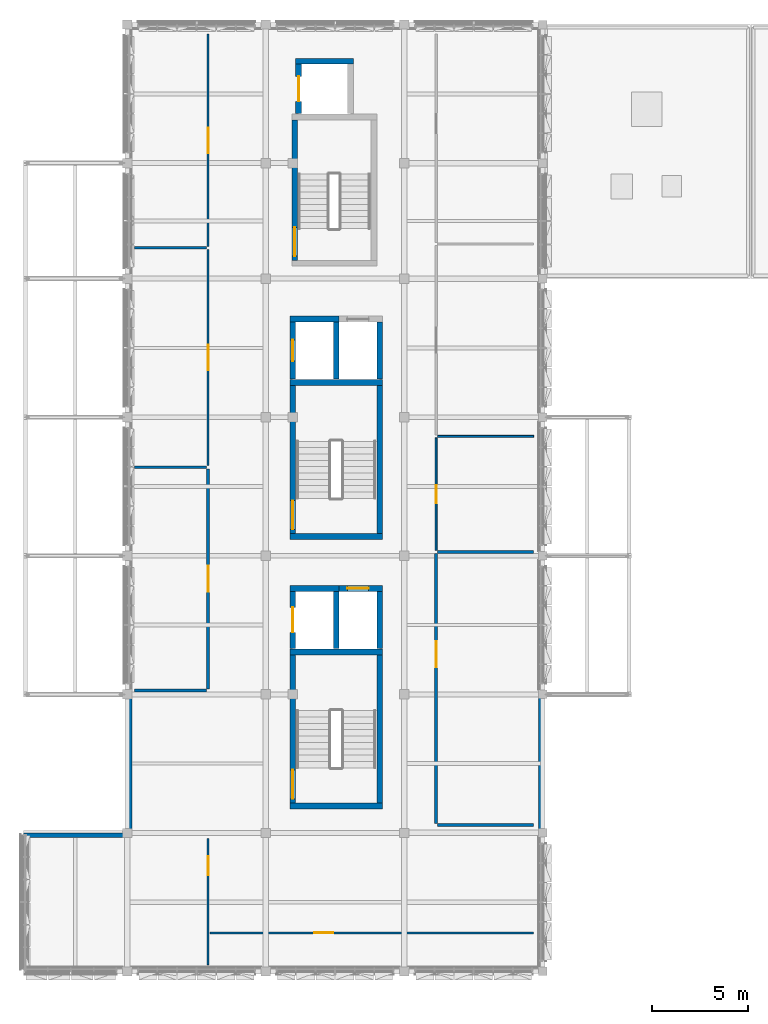
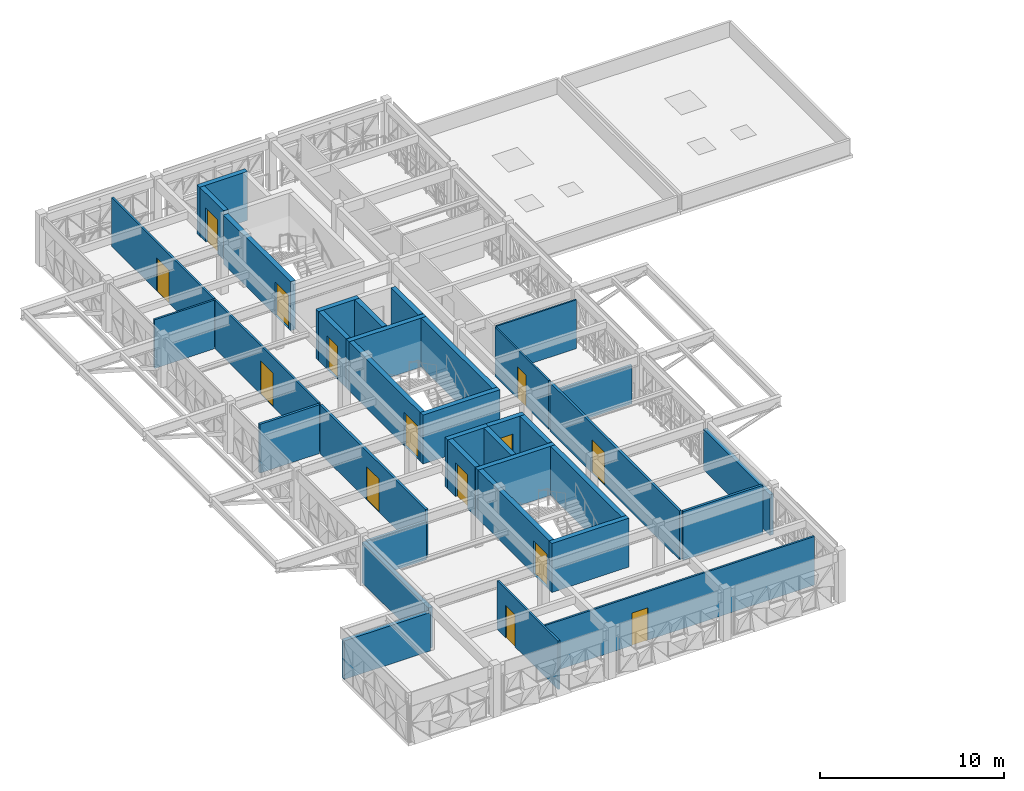
# One storey, part 21 of 30: 36 walls, 14 doors, 14 openings.
"""IFC4 building model written with IfcOpenShell, lengths in metres."""

from ifc_helpers import new_model, si_unit, direction, frame, frame_2d, origin, place, context, subcontext, project, spatial, rectangle, extrude, material, layer, layer_set, type_object, element, fill, save


model = new_model("IFC4")

# Units and contexts
model_context = context("Model", 3, precision=1e-05, world=origin(), true_north=direction((0.0, 1.0)))
body_context = subcontext(model_context, "Body", "Model", "MODEL_VIEW")
ifc_project = project(units=[si_unit("LENGTHUNIT", "METRE"), si_unit("AREAUNIT", "SQUARE_METRE"), si_unit("VOLUMEUNIT", "CUBIC_METRE"), si_unit("PLANEANGLEUNIT", "RADIAN"), si_unit("MASSUNIT", "GRAM", prefix="KILO")], contexts=[model_context])

# Site, building, storey
site_placement = place(None, origin())
site = spatial("IfcSite", under=ifc_project, at=site_placement, CompositionType="ELEMENT")
building_placement = place(site_placement, origin())
building = spatial("IfcBuilding", under=site, at=building_placement, Name="Alvorim Cloister Faculty of Sciences", CompositionType="ELEMENT")
storey_placement = place(building_placement, frame((0.0, 0.0, 26.25)))
storey = spatial("IfcBuildingStorey", under=building, at=storey_placement, Name="L07", CompositionType="ELEMENT", Elevation=26.25)

# Walls
ifc_material_1 = material(Name="Cross-Laminated Timber CLT C24", Category="wood")
ifc_layer_1 = layer(ifc_material_1, 0.239990234375)
ifc_layer_set_1 = layer_set([ifc_layer_1], Name="Cross-Laminated Timber CLT C24")
wall_type_1 = type_object("IfcWallType", Name="WL-EXT-TMB-240", PredefinedType="SOLIDWALL", material=ifc_layer_set_1)
wall_1_placement = place(storey_placement, frame((1.800048828125, 14.280029296875, 0.0), z_axis=(0.0, 0.0, 1.0), x_axis=(1.0, 0.0, 0.0)))
element("IfcWall", 1, at=wall_1_placement, inside=storey, type_object=wall_type_1, Name="L07 Exterior Wall WL-0241", PredefinedType="SOLIDWALL", context=body_context, shape_type="SweptSolid", body=[
    extrude(rectangle(XDim=5.39990234375, YDim=0.239990234375, at=frame_2d((2.699951171875, 0.0))), origin(), (0.0, 0.0, 1.0), 2.5458984375),
])
for number, where, z_axis, x_axis, name in (
    (2, (7.320068359375, 14.39990234375, 0.0), (0.0, 0.0, 1.0), (0.0, 1.0, 0.0), "L07 Exterior Wall WL-0242"),
    (3, (28.679931640625, 14.39990234375, 0.0), (0.0, 0.0, 1.0), (0.0, 1.0, 0.0), "L07 Exterior Wall WL-0243"),
):
    element("IfcWall", number, at=place(storey_placement, frame(where, z_axis=z_axis, x_axis=x_axis)), inside=storey, type_object=wall_type_1, Name=name, PredefinedType="SOLIDWALL", context=body_context, shape_type="SweptSolid", body=[
        extrude(rectangle(XDim=7.2001953125, YDim=0.239990234375, at=frame_2d((3.60009765625, 0.0))), origin(), (0.0, 0.0, 1.0), 2.68994140625),
    ])

# Wall, opening, door
ifc_material_2 = material(Name="Moisture-Resistant Tile Stud Partition", Category="gypsum")
ifc_layer_2 = layer(ifc_material_2, 0.10009765625)
ifc_layer_set_2 = layer_set([ifc_layer_2], Name="Moisture-Resistant Tile Stud Partition")
wall_type_2 = type_object("IfcWallType", Name="WL-PRT-100", PredefinedType="PARTITIONING", material=ifc_layer_set_2)
wall_2_placement = place(storey_placement, frame((23.25, 29.080078125, 0.0), z_axis=(0.0, 0.0, 1.0), x_axis=(0.0, 1.0, 0.0)))
wall_2 = element("IfcWall", 4, at=wall_2_placement, inside=storey, type_object=wall_type_2, Name="L07 L07 Accessible WCs Partition IWL-0698", PredefinedType="PARTITIONING", context=body_context, shape_type="SweptSolid", body=[
    extrude(rectangle(XDim=5.83984375, YDim=0.10009765625, at=frame_2d((2.919921875, 0.0))), origin(), (0.0, 0.0, 1.0), 3.22509765625),
])
opening_1_placement = place(wall_2_placement, frame((2.445068359375, 0.0, 0.0)))
opening_1 = element("IfcOpeningElement", 5, at=opening_1_placement, cuts=wall_2, Name="Opening D-L07-210", PredefinedType="OPENING", context=body_context, shape_type="SweptSolid", body=[
    extrude(rectangle(XDim=0.949951171875, YDim=2.10009765625, at=frame_2d((0.47509765625, 1.050048828125))), frame((0.0, 0.06201171875, 0.0), z_axis=(0.0, -1.0, 0.0), x_axis=(1.0, 0.0, 0.0)), (0.0, 0.0, 1.0), 0.1240234375),
])
ifc_material_3 = material(Name="Moisture-Resistant Laminate Timber", Category="wood")
door_type_1 = type_object("IfcDoorType", Name="DR-WC-950x2100", OperationType="NOTDEFINED", PredefinedType="DOOR", material=ifc_material_3)
door_1_placement = place(opening_1_placement, origin())
door_1 = element("IfcDoor", 6, at=door_1_placement, inside=storey, type_object=door_type_1, Name="L07 Accessible WCs Door D-L07-210", OperationType="SINGLE_SWING_RIGHT", OverallHeight=2.10009765625, OverallWidth=0.949951171875, PredefinedType="DOOR", context=body_context, shape_type="SweptSolid", body=[
    extrude(rectangle(XDim=0.949951171875, YDim=2.10009765625, at=frame_2d((0.47509765625, 1.050048828125))), frame((0.0, 0.02490234375, 0.0), z_axis=(0.0, -1.0, 0.0), x_axis=(1.0, 0.0, 0.0)), (0.0, 0.0, 1.0), 0.050048828125),
])
fill(opening_1, door_1)

# Wall
wall_3_placement = place(storey_placement, frame((23.330078125, 35.0, 0.0), z_axis=(0.0, 0.0, 1.0), x_axis=(1.0, 0.0, 0.0)))
element("IfcWall", 7, at=wall_3_placement, inside=storey, type_object=wall_type_2, Name="L07 L07 Accessible WCs Partition IWL-0699", PredefinedType="PARTITIONING", context=body_context, shape_type="SweptSolid", body=[
    extrude(rectangle(XDim=4.989990234375, YDim=0.10009765625, at=frame_2d((2.4951171875, 0.0))), origin(), (0.0, 0.0, 1.0), 3.22509765625),
])

# Wall, opening, door
ifc_material_4 = material(Name="Acoustic Gypsum Stud Partition", Category="gypsum")
ifc_layer_3 = layer(ifc_material_4, 0.1201171875)
ifc_layer_set_3 = layer_set([ifc_layer_3], Name="Acoustic Gypsum Stud Partition")
wall_type_3 = type_object("IfcWallType", Name="WL-PRT-120", PredefinedType="PARTITIONING", material=ifc_layer_set_3)
wall_4_placement = place(storey_placement, frame((11.39990234375, 7.530029296875, 0.0), z_axis=(0.0, 0.0, 1.0), x_axis=(0.0, 1.0, 0.0)))
wall_4 = element("IfcWall", 8, at=wall_4_placement, inside=storey, type_object=wall_type_3, Name="L07 South-West Cantilevered Senior Fellows Suite Partition IWL-0687", PredefinedType="PARTITIONING", context=body_context, shape_type="SweptSolid", body=[
    extrude(rectangle(XDim=6.590087890625, YDim=0.1201171875, at=frame_2d((3.294921875, 0.0))), origin(), (0.0, 0.0, 1.0), 3.22509765625),
])
opening_2_placement = place(wall_4_placement, frame((4.664306640625, 0.0, 0.0)))
opening_2 = element("IfcOpeningElement", 9, at=opening_2_placement, cuts=wall_4, Name="Opening D-L07-204", PredefinedType="OPENING", context=body_context, shape_type="SweptSolid", body=[
    extrude(rectangle(XDim=1.0, YDim=2.14990234375, at=frame_2d((0.5, 1.074951171875))), frame((0.0, 0.072021484375, 0.0), z_axis=(0.0, -1.0, 0.0), x_axis=(1.0, 0.0, 0.0)), (0.0, 0.0, 1.0), 0.14404296875),
])
ifc_material_5 = material(Name="Solid Acoustic Oak Timber", Category="wood")
door_type_2 = type_object("IfcDoorType", Name="DR-OFF-1000x2150", OperationType="NOTDEFINED", PredefinedType="DOOR", material=ifc_material_5)
door_2_placement = place(opening_2_placement, origin())
door_2 = element("IfcDoor", 10, at=door_2_placement, inside=storey, type_object=door_type_2, Name="South-West Cantilevered Senior Fellows Suite Door D-L07-204", OperationType="SINGLE_SWING_RIGHT", OverallHeight=2.14990234375, OverallWidth=1.0, PredefinedType="DOOR", context=body_context, shape_type="SweptSolid", body=[
    extrude(rectangle(XDim=1.0, YDim=2.14990234375, at=frame_2d((0.5, 1.074951171875))), frame((0.0, 0.02490234375, 0.0), z_axis=(0.0, -1.0, 0.0), x_axis=(1.0, 0.0, 0.0)), (0.0, 0.0, 1.0), 0.050048828125),
])
fill(opening_2, door_2)

wall_5_placement = place(storey_placement, frame((11.5, 9.199951171875, 0.0), z_axis=(0.0, 0.0, 1.0), x_axis=(1.0, 0.0, 0.0)))
wall_5 = element("IfcWall", 11, at=wall_5_placement, inside=storey, type_object=wall_type_3, Name="L07 South Senior Fellows Suite East Partition IWL-0688", PredefinedType="PARTITIONING", context=body_context, shape_type="SweptSolid", body=[
    extrude(rectangle(XDim=16.820068359375, YDim=0.1201171875, at=frame_2d((8.41015625, 0.0))), origin(), (0.0, 0.0, 1.0), 3.22509765625),
])
opening_3_placement = place(wall_5_placement, frame((5.405029296875, 0.0, 0.0)))
opening_3 = element("IfcOpeningElement", 12, at=opening_3_placement, cuts=wall_5, Name="Opening D-L07-205", PredefinedType="OPENING", context=body_context, shape_type="SweptSolid", body=[
    extrude(rectangle(XDim=1.0, YDim=2.14990234375, at=frame_2d((0.5, 1.074951171875))), frame((0.0, 0.072021484375, 0.0), z_axis=(0.0, -1.0, 0.0), x_axis=(1.0, 0.0, 0.0)), (0.0, 0.0, 1.0), 0.14404296875),
])
door_3_placement = place(opening_3_placement, origin())
door_3 = element("IfcDoor", 13, at=door_3_placement, inside=storey, type_object=door_type_2, Name="South Senior Fellows Suite East Door D-L07-205", OperationType="SINGLE_SWING_LEFT", OverallHeight=2.14990234375, OverallWidth=1.0, PredefinedType="DOOR", context=body_context, shape_type="SweptSolid", body=[
    extrude(rectangle(XDim=1.0, YDim=2.14990234375, at=frame_2d((0.5, 1.074951171875))), frame((0.0, 0.02490234375, 0.0), z_axis=(0.0, -1.0, 0.0), x_axis=(1.0, 0.0, 0.0)), (0.0, 0.0, 1.0), 0.050048828125),
])
fill(opening_3, door_3)

wall_6_placement = place(storey_placement, frame((11.39990234375, 33.47998046875, 0.0), z_axis=(0.0, 0.0, 1.0), x_axis=(0.0, 1.0, 0.0)))
wall_6 = element("IfcWall", 14, at=wall_6_placement, inside=storey, type_object=wall_type_3, Name="L07 Scientific Computing and Data Modelling Studio Partition IWL-0692", PredefinedType="PARTITIONING", context=body_context, shape_type="SweptSolid", body=[
    extrude(rectangle(XDim=11.239990234375, YDim=0.1201171875, at=frame_2d((5.6201171875, 0.0))), origin(), (0.0, 0.0, 1.0), 3.22509765625),
])
opening_4_placement = place(wall_6_placement, frame((4.9599609375, 0.0, 0.0)))
opening_4 = element("IfcOpeningElement", 15, at=opening_4_placement, cuts=wall_6, Name="Opening D-L07-207", PredefinedType="OPENING", context=body_context, shape_type="SweptSolid", body=[
    extrude(rectangle(XDim=1.320068359375, YDim=2.199951171875, at=frame_2d((0.66015625, 1.10009765625))), frame((0.0, 0.072021484375, 0.0), z_axis=(0.0, -1.0, 0.0), x_axis=(1.0, 0.0, 0.0)), (0.0, 0.0, 1.0), 0.14404296875),
])
door_type_3 = type_object("IfcDoorType", Name="DR-SEM-1320x2200", OperationType="NOTDEFINED", PredefinedType="DOOR", material=ifc_material_5)
door_4_placement = place(opening_4_placement, origin())
door_4 = element("IfcDoor", 16, at=door_4_placement, inside=storey, type_object=door_type_3, Name="Scientific Computing and Data Modelling Studio Door D-L07-207", OperationType="SINGLE_SWING_LEFT", OverallHeight=2.199951171875, OverallWidth=1.320068359375, PredefinedType="DOOR", context=body_context, shape_type="SweptSolid", body=[
    extrude(rectangle(XDim=1.320068359375, YDim=2.199951171875, at=frame_2d((0.66015625, 1.10009765625))), frame((0.0, 0.02490234375, 0.0), z_axis=(0.0, -1.0, 0.0), x_axis=(1.0, 0.0, 0.0)), (0.0, 0.0, 1.0), 0.050048828125),
])
fill(opening_4, door_4)

# Wall
wall_7_placement = place(storey_placement, frame((7.580078125, 44.800048828125, 0.0), z_axis=(0.0, 0.0, 1.0), x_axis=(1.0, 0.0, 0.0)))
element("IfcWall", 17, at=wall_7_placement, inside=storey, type_object=wall_type_3, Name="L07 Scientific Computing and Data Modelling Studio Partition IWL-0693", PredefinedType="PARTITIONING", context=body_context, shape_type="SweptSolid", body=[
    extrude(rectangle(XDim=3.739990234375, YDim=0.1201171875, at=frame_2d((1.8701171875, 0.0))), origin(), (0.0, 0.0, 1.0), 3.22509765625),
])

# Wall, opening, door
wall_8_placement = place(storey_placement, frame((11.39990234375, 44.8798828125, 0.0), z_axis=(0.0, 0.0, 1.0), x_axis=(0.0, 1.0, 0.0)))
wall_8 = element("IfcWall", 18, at=wall_8_placement, inside=storey, type_object=wall_type_3, Name="L07 Graduate Seminar Room 701 Partition IWL-0694", PredefinedType="PARTITIONING", context=body_context, shape_type="SweptSolid", body=[
    extrude(rectangle(XDim=11.0400390625, YDim=0.1201171875, at=frame_2d((5.52001953125, 0.0))), origin(), (0.0, 0.0, 1.0), 3.22509765625),
])
opening_5_placement = place(wall_8_placement, frame((4.830078125, 0.0, 0.0)))
opening_5 = element("IfcOpeningElement", 19, at=opening_5_placement, cuts=wall_8, Name="Opening D-L07-208", PredefinedType="OPENING", context=body_context, shape_type="SweptSolid", body=[
    extrude(rectangle(XDim=1.320068359375, YDim=2.199951171875, at=frame_2d((0.66015625, 1.10009765625))), frame((0.0, 0.072021484375, 0.0), z_axis=(0.0, -1.0, 0.0), x_axis=(1.0, 0.0, 0.0)), (0.0, 0.0, 1.0), 0.14404296875),
])
door_5_placement = place(opening_5_placement, origin())
door_5 = element("IfcDoor", 20, at=door_5_placement, inside=storey, type_object=door_type_3, Name="Graduate Seminar Room 701 Door D-L07-208", OperationType="SINGLE_SWING_RIGHT", OverallHeight=2.199951171875, OverallWidth=1.320068359375, PredefinedType="DOOR", context=body_context, shape_type="SweptSolid", body=[
    extrude(rectangle(XDim=1.320068359375, YDim=2.199951171875, at=frame_2d((0.66015625, 1.10009765625))), frame((0.0, 0.02490234375, 0.0), z_axis=(0.0, -1.0, 0.0), x_axis=(1.0, 0.0, 0.0)), (0.0, 0.0, 1.0), 0.050048828125),
])
fill(opening_5, door_5)

# Wall
ifc_material_6 = material(Name="Gypsum Fireboard Stud Partition", Category="gypsum")
ifc_layer_4 = layer(ifc_material_6, 0.14990234375)
ifc_layer_set_4 = layer_set([ifc_layer_4], Name="Gypsum Fireboard Stud Partition")
wall_type_4 = type_object("IfcWallType", Name="WL-PRT-150", PredefinedType="PARTITIONING", material=ifc_layer_set_4)
wall_9_placement = place(storey_placement, frame((7.580078125, 21.800048828125, 0.0), z_axis=(0.0, 0.0, 1.0), x_axis=(1.0, 0.0, 0.0)))
element("IfcWall", 21, at=wall_9_placement, inside=storey, type_object=wall_type_4, Name="L07 Quantum Optics Research Laboratory Partition IWL-0689", PredefinedType="PARTITIONING", context=body_context, shape_type="SweptSolid", body=[
    extrude(rectangle(XDim=3.739990234375, YDim=0.14990234375, at=frame_2d((1.8701171875, 0.0))), origin(), (0.0, 0.0, 1.0), 2.541015625),
])

# Wall, opening, door
wall_10_placement = place(storey_placement, frame((11.39990234375, 21.8798828125, 0.0), z_axis=(0.0, 0.0, 1.0), x_axis=(0.0, 1.0, 0.0)))
wall_10 = element("IfcWall", 22, at=wall_10_placement, inside=storey, type_object=wall_type_4, Name="L07 Quantum Optics Research Laboratory Partition IWL-0690", PredefinedType="PARTITIONING", context=body_context, shape_type="SweptSolid", body=[
    extrude(rectangle(XDim=11.440185546875, YDim=0.14990234375, at=frame_2d((5.72021484375, 0.0))), origin(), (0.0, 0.0, 1.0), 3.22509765625),
])
opening_6_placement = place(wall_10_placement, frame((5.044921875, 0.0, 0.0)))
opening_6 = element("IfcOpeningElement", 23, at=opening_6_placement, cuts=wall_10, Name="Opening D-L07-206", PredefinedType="OPENING", context=body_context, shape_type="SweptSolid", body=[
    extrude(rectangle(XDim=1.35009765625, YDim=2.199951171875, at=frame_2d((0.675048828125, 1.10009765625))), frame((0.0, 0.0869140625, 0.0), z_axis=(0.0, -1.0, 0.0), x_axis=(1.0, 0.0, 0.0)), (0.0, 0.0, 1.0), 0.173828125),
])
ifc_material_7 = material(Name="Fire-Rated Laminate Timber", Category="wood")
door_type_4 = type_object("IfcDoorType", Name="DR-LAB-1350x2200", OperationType="NOTDEFINED", PredefinedType="DOOR", material=ifc_material_7)
door_6_placement = place(opening_6_placement, origin())
door_6 = element("IfcDoor", 24, at=door_6_placement, inside=storey, type_object=door_type_4, Name="Quantum Optics Research Laboratory Door D-L07-206", OperationType="SINGLE_SWING_RIGHT", OverallHeight=2.199951171875, OverallWidth=1.35009765625, PredefinedType="DOOR", context=body_context, shape_type="SweptSolid", body=[
    extrude(rectangle(XDim=1.35009765625, YDim=2.199951171875, at=frame_2d((0.675048828125, 1.10009765625))), frame((0.0, 0.02490234375, 0.0), z_axis=(0.0, -1.0, 0.0), x_axis=(1.0, 0.0, 0.0)), (0.0, 0.0, 1.0), 0.050048828125),
])
fill(opening_6, door_6)

# Wall
wall_11_placement = place(storey_placement, frame((7.580078125, 33.39990234375, 0.0), z_axis=(0.0, 0.0, 1.0), x_axis=(1.0, 0.0, 0.0)))
element("IfcWall", 25, at=wall_11_placement, inside=storey, type_object=wall_type_4, Name="L07 Quantum Optics Research Laboratory Partition IWL-0691", PredefinedType="PARTITIONING", context=body_context, shape_type="SweptSolid", body=[
    extrude(rectangle(XDim=3.739990234375, YDim=0.14990234375, at=frame_2d((1.8701171875, 0.0))), origin(), (0.0, 0.0, 1.0), 3.22509765625),
])

# Wall, opening, door
wall_12_placement = place(storey_placement, frame((23.25, 14.8798828125, 0.0), z_axis=(0.0, 0.0, 1.0), x_axis=(0.0, 1.0, 0.0)))
wall_12 = element("IfcWall", 26, at=wall_12_placement, inside=storey, type_object=wall_type_4, Name="L07 Nanophotonics Clean Bench Suite Partition IWL-0695", PredefinedType="PARTITIONING", context=body_context, shape_type="SweptSolid", body=[
    extrude(rectangle(XDim=14.0400390625, YDim=0.14990234375, at=frame_2d((7.02001953125, 0.0))), origin(), (0.0, 0.0, 1.0), 3.22509765625),
])
opening_7_placement = place(wall_12_placement, frame((8.131591796875, 0.0, 0.0)))
opening_7 = element("IfcOpeningElement", 27, at=opening_7_placement, cuts=wall_12, Name="Opening D-L07-209", PredefinedType="OPENING", context=body_context, shape_type="SweptSolid", body=[
    extrude(rectangle(XDim=1.35009765625, YDim=2.199951171875, at=frame_2d((0.675048828125, 1.10009765625))), frame((0.0, 0.0869140625, 0.0), z_axis=(0.0, -1.0, 0.0), x_axis=(1.0, 0.0, 0.0)), (0.0, 0.0, 1.0), 0.173828125),
])
door_7_placement = place(opening_7_placement, origin())
door_7 = element("IfcDoor", 28, at=door_7_placement, inside=storey, type_object=door_type_4, Name="Nanophotonics Clean Bench Suite Door D-L07-209", OperationType="SINGLE_SWING_LEFT", OverallHeight=2.199951171875, OverallWidth=1.35009765625, PredefinedType="DOOR", context=body_context, shape_type="SweptSolid", body=[
    extrude(rectangle(XDim=1.35009765625, YDim=2.199951171875, at=frame_2d((0.675048828125, 1.10009765625))), frame((0.0, 0.02490234375, 0.0), z_axis=(0.0, -1.0, 0.0), x_axis=(1.0, 0.0, 0.0)), (0.0, 0.0, 1.0), 0.050048828125),
])
fill(opening_7, door_7)

# Walls
wall_13_placement = place(storey_placement, frame((23.330078125, 14.800048828125, 0.0), z_axis=(0.0, 0.0, 1.0), x_axis=(1.0, 0.0, 0.0)))
element("IfcWall", 29, at=wall_13_placement, inside=storey, type_object=wall_type_4, Name="L07 Nanophotonics Clean Bench Suite Partition IWL-0696", PredefinedType="PARTITIONING", context=body_context, shape_type="SweptSolid", body=[
    extrude(rectangle(XDim=4.989990234375, YDim=0.14990234375, at=frame_2d((2.4951171875, 0.0))), origin(), (0.0, 0.0, 1.0), 3.22509765625),
])
wall_14_placement = place(storey_placement, frame((23.330078125, 29.0, 0.0), z_axis=(0.0, 0.0, 1.0), x_axis=(1.0, 0.0, 0.0)))
element("IfcWall", 30, at=wall_14_placement, inside=storey, type_object=wall_type_4, Name="L07 Nanophotonics Clean Bench Suite Partition IWL-0697", PredefinedType="PARTITIONING", context=body_context, shape_type="SweptSolid", body=[
    extrude(rectangle(XDim=4.989990234375, YDim=0.14990234375, at=frame_2d((2.4951171875, 0.0))), origin(), (0.0, 0.0, 1.0), 2.541015625),
])
ifc_material_8 = material(Name="Concrete C40", Category="concrete")
ifc_layer_5 = layer(ifc_material_8, 0.300048828125)
ifc_layer_set_5 = layer_set([ifc_layer_5], Name="Concrete C40")
wall_type_5 = type_object("IfcWallType", Name="WL-SHR-300", PredefinedType="SHEAR", material=ifc_layer_set_5)
for number, where, z_axis, x_axis, name in (
    (31, (15.64990234375, 15.800048828125, 0.0), (0.0, 0.0, 1.0), (1.0, 0.0, 0.0), "L07 CORE K1 Shear Wall IWL-0033"),
    (32, (15.64990234375, 23.800048828125, 0.0), (0.0, 0.0, 1.0), (1.0, 0.0, 0.0), "L07 CORE K1 Shear Wall IWL-0034"),
):
    element("IfcWall", number, at=place(storey_placement, frame(where, z_axis=z_axis, x_axis=x_axis)), inside=storey, type_object=wall_type_5, Name=name, PredefinedType="SHEAR", context=body_context, shape_type="SweptSolid", body=[
        extrude(rectangle(XDim=4.820068359375, YDim=0.300048828125, at=frame_2d((2.41015625, 0.0))), origin(), (0.0, 0.0, 1.0), 3.239990234375),
    ])

# Wall, opening, door
wall_15_placement = place(storey_placement, frame((15.800048828125, 15.949951171875, 0.0), z_axis=(0.0, 0.0, 1.0), x_axis=(0.0, 1.0, 0.0)))
wall_15 = element("IfcWall", 33, at=wall_15_placement, inside=storey, type_object=wall_type_5, Name="L07 CORE K1 Shear Wall IWL-0035", PredefinedType="SHEAR", context=body_context, shape_type="SweptSolid", body=[
    extrude(rectangle(XDim=7.699951171875, YDim=0.300048828125, at=frame_2d((3.85009765625, 0.0))), origin(), (0.0, 0.0, 1.0), 3.239990234375),
])
opening_8_placement = place(wall_15_placement, frame((0.219970703125, 0.0, 0.0)))
opening_8 = element("IfcOpeningElement", 34, at=opening_8_placement, cuts=wall_15, Name="Opening SD-K1-L07", PredefinedType="OPENING", context=body_context, shape_type="SweptSolid", body=[
    extrude(rectangle(XDim=1.5, YDim=2.199951171875, at=frame_2d((0.75, 1.10009765625))), frame((0.0, 0.162109375, 0.0), z_axis=(0.0, -1.0, 0.0), x_axis=(1.0, 0.0, 0.0)), (0.0, 0.0, 1.0), 0.323974609375),
])
ifc_material_9 = material(Name="Galvanised Fire-Rated Steel", Category="steel")
door_type_5 = type_object("IfcDoorType", Name="DR-STR-1500x2200", OperationType="NOTDEFINED", PredefinedType="DOOR", material=ifc_material_9)
door_8_placement = place(opening_8_placement, origin())
door_8 = element("IfcDoor", 35, at=door_8_placement, inside=storey, type_object=door_type_5, Name="L07 Stair ST-01 Fire Door SD-K1-L07", OperationType="DOUBLE_DOOR_SINGLE_SWING", OverallHeight=2.199951171875, OverallWidth=1.5, PredefinedType="DOOR", context=body_context, shape_type="SweptSolid", body=[
    extrude(rectangle(XDim=1.5, YDim=2.199951171875, at=frame_2d((0.75, 1.10009765625))), frame((0.0, 0.02490234375, 0.0), z_axis=(0.0, -1.0, 0.0), x_axis=(1.0, 0.0, 0.0)), (0.0, 0.0, 1.0), 0.050048828125),
])
fill(opening_8, door_8)

# Walls
wall_16_placement = place(storey_placement, frame((20.320068359375, 15.949951171875, 0.0), z_axis=(0.0, 0.0, 1.0), x_axis=(0.0, 1.0, 0.0)))
element("IfcWall", 36, at=wall_16_placement, inside=storey, type_object=wall_type_5, Name="L07 CORE K1 Shear Wall IWL-0036", PredefinedType="SHEAR", context=body_context, shape_type="SweptSolid", body=[
    extrude(rectangle(XDim=7.699951171875, YDim=0.300048828125, at=frame_2d((3.85009765625, 0.0))), origin(), (0.0, 0.0, 1.0), 3.239990234375),
])
for number, where, z_axis, x_axis, name in (
    (37, (15.64990234375, 29.800048828125, 0.0), (0.0, 0.0, 1.0), (1.0, 0.0, 0.0), "L07 CORE K2 Shear Wall IWL-0077"),
    (38, (15.64990234375, 37.800048828125, 0.0), (0.0, 0.0, 1.0), (1.0, 0.0, 0.0), "L07 CORE K2 Shear Wall IWL-0078"),
):
    element("IfcWall", number, at=place(storey_placement, frame(where, z_axis=z_axis, x_axis=x_axis)), inside=storey, type_object=wall_type_5, Name=name, PredefinedType="SHEAR", context=body_context, shape_type="SweptSolid", body=[
        extrude(rectangle(XDim=4.820068359375, YDim=0.300048828125, at=frame_2d((2.41015625, 0.0))), origin(), (0.0, 0.0, 1.0), 3.239990234375),
    ])

# Wall, opening, door
wall_17_placement = place(storey_placement, frame((15.800048828125, 29.949951171875, 0.0), z_axis=(0.0, 0.0, 1.0), x_axis=(0.0, 1.0, 0.0)))
wall_17 = element("IfcWall", 39, at=wall_17_placement, inside=storey, type_object=wall_type_5, Name="L07 CORE K2 Shear Wall IWL-0079", PredefinedType="SHEAR", context=body_context, shape_type="SweptSolid", body=[
    extrude(rectangle(XDim=7.699951171875, YDim=0.300048828125, at=frame_2d((3.85009765625, 0.0))), origin(), (0.0, 0.0, 1.0), 3.239990234375),
])
opening_9_placement = place(wall_17_placement, frame((0.219970703125, 0.0, 0.0)))
opening_9 = element("IfcOpeningElement", 40, at=opening_9_placement, cuts=wall_17, Name="Opening SD-K2-L07", PredefinedType="OPENING", context=body_context, shape_type="SweptSolid", body=[
    extrude(rectangle(XDim=1.5, YDim=2.199951171875, at=frame_2d((0.75, 1.10009765625))), frame((0.0, 0.162109375, 0.0), z_axis=(0.0, -1.0, 0.0), x_axis=(1.0, 0.0, 0.0)), (0.0, 0.0, 1.0), 0.323974609375),
])
door_9_placement = place(opening_9_placement, origin())
door_9 = element("IfcDoor", 41, at=door_9_placement, inside=storey, type_object=door_type_5, Name="L07 Stair ST-02 Fire Door SD-K2-L07", OperationType="DOUBLE_DOOR_SINGLE_SWING", OverallHeight=2.199951171875, OverallWidth=1.5, PredefinedType="DOOR", context=body_context, shape_type="SweptSolid", body=[
    extrude(rectangle(XDim=1.5, YDim=2.199951171875, at=frame_2d((0.75, 1.10009765625))), frame((0.0, 0.02490234375, 0.0), z_axis=(0.0, -1.0, 0.0), x_axis=(1.0, 0.0, 0.0)), (0.0, 0.0, 1.0), 0.050048828125),
])
fill(opening_9, door_9)

# Wall
wall_18_placement = place(storey_placement, frame((20.320068359375, 29.949951171875, 0.0), z_axis=(0.0, 0.0, 1.0), x_axis=(0.0, 1.0, 0.0)))
element("IfcWall", 42, at=wall_18_placement, inside=storey, type_object=wall_type_5, Name="L07 CORE K2 Shear Wall IWL-0080", PredefinedType="SHEAR", context=body_context, shape_type="SweptSolid", body=[
    extrude(rectangle(XDim=7.699951171875, YDim=0.300048828125, at=frame_2d((3.85009765625, 0.0))), origin(), (0.0, 0.0, 1.0), 3.239990234375),
])

# Wall, opening, door
wall_19_placement = place(storey_placement, frame((15.89990234375, 44.14990234375, 0.0), z_axis=(0.0, 0.0, 1.0), x_axis=(0.0, 1.0, 0.0)))
wall_19 = element("IfcWall", 43, at=wall_19_placement, inside=storey, type_object=wall_type_5, Name="L07 CORE K3 Shear Wall IWL-0123", PredefinedType="SHEAR", context=body_context, shape_type="SweptSolid", body=[
    extrude(rectangle(XDim=7.300048828125, YDim=0.300048828125, at=frame_2d((3.64990234375, 0.0))), origin(), (0.0, 0.0, 1.0), 3.239990234375),
])
opening_10_placement = place(wall_19_placement, frame((0.219970703125, 0.0, 0.0)))
opening_10 = element("IfcOpeningElement", 44, at=opening_10_placement, cuts=wall_19, Name="Opening SD-K3-L07", PredefinedType="OPENING", context=body_context, shape_type="SweptSolid", body=[
    extrude(rectangle(XDim=1.5, YDim=2.199951171875, at=frame_2d((0.75, 1.10009765625))), frame((0.0, 0.162109375, 0.0), z_axis=(0.0, -1.0, 0.0), x_axis=(1.0, 0.0, 0.0)), (0.0, 0.0, 1.0), 0.323974609375),
])
door_10_placement = place(opening_10_placement, origin())
door_10 = element("IfcDoor", 45, at=door_10_placement, inside=storey, type_object=door_type_5, Name="L07 Stair ST-03 Fire Door SD-K3-L07", OperationType="DOUBLE_DOOR_SINGLE_SWING", OverallHeight=2.199951171875, OverallWidth=1.5, PredefinedType="DOOR", context=body_context, shape_type="SweptSolid", body=[
    extrude(rectangle(XDim=1.5, YDim=2.199951171875, at=frame_2d((0.75, 1.10009765625))), frame((0.0, 0.02490234375, 0.0), z_axis=(0.0, -1.0, 0.0), x_axis=(1.0, 0.0, 0.0)), (0.0, 0.0, 1.0), 0.050048828125),
])
fill(opening_10, door_10)

# Wall
wall_20_placement = place(storey_placement, frame((15.64990234375, 27.10009765625, 0.0), z_axis=(0.0, 0.0, 1.0), x_axis=(1.0, 0.0, 0.0)))
element("IfcWall", 46, at=wall_20_placement, inside=storey, type_object=wall_type_5, Name="L07 Lift LF-01 Shaft Wall IWL-0257", PredefinedType="SHEAR", context=body_context, shape_type="SweptSolid", body=[
    extrude(rectangle(XDim=2.56005859375, YDim=0.300048828125, at=frame_2d((1.280029296875, 0.0))), origin(), (0.0, 0.0, 1.0), 3.239990234375),
])

# Wall, opening, door
wall_21_placement = place(storey_placement, frame((15.800048828125, 23.97998046875, 0.0), z_axis=(0.0, 0.0, 1.0), x_axis=(0.0, 1.0, 0.0)))
wall_21 = element("IfcWall", 47, at=wall_21_placement, inside=storey, type_object=wall_type_5, Name="L07 Lift LF-01 Shaft Wall IWL-0258", PredefinedType="SHEAR", context=body_context, shape_type="SweptSolid", body=[
    extrude(rectangle(XDim=2.969970703125, YDim=0.300048828125, at=frame_2d((1.48486328125, 0.0))), origin(), (0.0, 0.0, 1.0), 3.239990234375),
])
opening_11_placement = place(wall_21_placement, frame((0.8349609375, 0.0, 0.0)))
opening_11 = element("IfcOpeningElement", 48, at=opening_11_placement, cuts=wall_21, Name="Opening LD-009", PredefinedType="OPENING", context=body_context, shape_type="SweptSolid", body=[
    extrude(rectangle(XDim=1.300048828125, YDim=2.25, at=frame_2d((0.64990234375, 1.125))), frame((0.0, 0.162109375, 0.0), z_axis=(0.0, -1.0, 0.0), x_axis=(1.0, 0.0, 0.0)), (0.0, 0.0, 1.0), 0.323974609375),
])
ifc_material_10 = material(Name="Brushed Stainless Steel", Category="steel")
door_type_6 = type_object("IfcDoorType", Name="DR-LFT-1300x2250", OperationType="NOTDEFINED", PredefinedType="DOOR", material=ifc_material_10)
door_11_placement = place(opening_11_placement, origin())
door_11 = element("IfcDoor", 49, at=door_11_placement, inside=storey, type_object=door_type_6, Name="L07 Lift LF-01 Sliding Landing Door LD-009", OperationType="DOUBLE_DOOR_SLIDING", OverallHeight=2.25, OverallWidth=1.300048828125, PredefinedType="DOOR", context=body_context, shape_type="SweptSolid", body=[
    extrude(rectangle(XDim=1.300048828125, YDim=2.25, at=frame_2d((0.64990234375, 1.125))), frame((0.0, 0.02490234375, 0.0), z_axis=(0.0, -1.0, 0.0), x_axis=(1.0, 0.0, 0.0)), (0.0, 0.0, 1.0), 0.050048828125),
])
fill(opening_11, door_11)

# Wall
wall_22_placement = place(storey_placement, frame((18.06005859375, 23.97998046875, 0.0), z_axis=(0.0, 0.0, 1.0), x_axis=(0.0, 1.0, 0.0)))
element("IfcWall", 50, at=wall_22_placement, inside=storey, type_object=wall_type_5, Name="L07 Lift LF-01 Shaft Wall IWL-0259", PredefinedType="SHEAR", context=body_context, shape_type="SweptSolid", body=[
    extrude(rectangle(XDim=2.969970703125, YDim=0.300048828125, at=frame_2d((1.48486328125, 0.0))), origin(), (0.0, 0.0, 1.0), 3.239990234375),
])

# Wall, opening, door
wall_23_placement = place(storey_placement, frame((17.909912109375, 27.10009765625, 0.0), z_axis=(0.0, 0.0, 1.0), x_axis=(1.0, 0.0, 0.0)))
wall_23 = element("IfcWall", 51, at=wall_23_placement, inside=storey, type_object=wall_type_5, Name="L07 Lift LP-01 Shaft Wall IWL-0282", PredefinedType="SHEAR", context=body_context, shape_type="SweptSolid", body=[
    extrude(rectangle(XDim=2.56005859375, YDim=0.300048828125, at=frame_2d((1.280029296875, 0.0))), origin(), (0.0, 0.0, 1.0), 3.239990234375),
])
opening_12_placement = place(wall_23_placement, frame((0.72998046875, 0.0, 0.0)))
opening_12 = element("IfcOpeningElement", 52, at=opening_12_placement, cuts=wall_23, Name="Opening LD-020", PredefinedType="OPENING", context=body_context, shape_type="SweptSolid", body=[
    extrude(rectangle(XDim=1.10009765625, YDim=2.199951171875, at=frame_2d((0.550048828125, 1.10009765625))), frame((0.0, 0.162109375, 0.0), z_axis=(0.0, -1.0, 0.0), x_axis=(1.0, 0.0, 0.0)), (0.0, 0.0, 1.0), 0.323974609375),
])
door_type_7 = type_object("IfcDoorType", Name="DR-LFT-1100x2200", OperationType="NOTDEFINED", PredefinedType="DOOR", material=ifc_material_10)
door_12_placement = place(opening_12_placement, origin())
door_12 = element("IfcDoor", 53, at=door_12_placement, inside=storey, type_object=door_type_7, Name="L07 Lift LP-01 Sliding Landing Door LD-020", OperationType="DOUBLE_DOOR_SLIDING", OverallHeight=2.199951171875, OverallWidth=1.10009765625, PredefinedType="DOOR", context=body_context, shape_type="SweptSolid", body=[
    extrude(rectangle(XDim=1.10009765625, YDim=2.199951171875, at=frame_2d((0.550048828125, 1.10009765625))), frame((0.0, 0.02490234375, 0.0), z_axis=(0.0, -1.0, 0.0), x_axis=(1.0, 0.0, 0.0)), (0.0, 0.0, 1.0), 0.050048828125),
])
fill(opening_12, door_12)

# Walls
wall_24_placement = place(storey_placement, frame((20.320068359375, 23.97998046875, 0.0), z_axis=(0.0, 0.0, 1.0), x_axis=(0.0, 1.0, 0.0)))
element("IfcWall", 54, at=wall_24_placement, inside=storey, type_object=wall_type_5, Name="L07 Lift LP-01 Shaft Wall IWL-0283", PredefinedType="SHEAR", context=body_context, shape_type="SweptSolid", body=[
    extrude(rectangle(XDim=2.969970703125, YDim=0.300048828125, at=frame_2d((1.48486328125, 0.0))), origin(), (0.0, 0.0, 1.0), 3.239990234375),
])
wall_25_placement = place(storey_placement, frame((15.64990234375, 41.10009765625, 0.0), z_axis=(0.0, 0.0, 1.0), x_axis=(1.0, 0.0, 0.0)))
element("IfcWall", 55, at=wall_25_placement, inside=storey, type_object=wall_type_5, Name="L07 Lift LP-02 Shaft Wall IWL-0312", PredefinedType="SHEAR", context=body_context, shape_type="SweptSolid", body=[
    extrude(rectangle(XDim=2.56005859375, YDim=0.300048828125, at=frame_2d((1.280029296875, 0.0))), origin(), (0.0, 0.0, 1.0), 3.239990234375),
])

# Wall, opening, door
wall_26_placement = place(storey_placement, frame((15.800048828125, 37.97998046875, 0.0), z_axis=(0.0, 0.0, 1.0), x_axis=(0.0, 1.0, 0.0)))
wall_26 = element("IfcWall", 56, at=wall_26_placement, inside=storey, type_object=wall_type_5, Name="L07 Lift LP-02 Shaft Wall IWL-0313", PredefinedType="SHEAR", context=body_context, shape_type="SweptSolid", body=[
    extrude(rectangle(XDim=2.969970703125, YDim=0.300048828125, at=frame_2d((1.48486328125, 0.0))), origin(), (0.0, 0.0, 1.0), 3.239990234375),
])
opening_13_placement = place(wall_26_placement, frame((0.93505859375, 0.0, 0.0)))
opening_13 = element("IfcOpeningElement", 57, at=opening_13_placement, cuts=wall_26, Name="Opening LD-031", PredefinedType="OPENING", context=body_context, shape_type="SweptSolid", body=[
    extrude(rectangle(XDim=1.10009765625, YDim=2.199951171875, at=frame_2d((0.550048828125, 1.10009765625))), frame((0.0, 0.162109375, 0.0), z_axis=(0.0, -1.0, 0.0), x_axis=(1.0, 0.0, 0.0)), (0.0, 0.0, 1.0), 0.323974609375),
])
door_13_placement = place(opening_13_placement, origin())
door_13 = element("IfcDoor", 58, at=door_13_placement, inside=storey, type_object=door_type_7, Name="L07 Lift LP-02 Sliding Landing Door LD-031", OperationType="DOUBLE_DOOR_SLIDING", OverallHeight=2.199951171875, OverallWidth=1.10009765625, PredefinedType="DOOR", context=body_context, shape_type="SweptSolid", body=[
    extrude(rectangle(XDim=1.10009765625, YDim=2.199951171875, at=frame_2d((0.550048828125, 1.10009765625))), frame((0.0, 0.02490234375, 0.0), z_axis=(0.0, -1.0, 0.0), x_axis=(1.0, 0.0, 0.0)), (0.0, 0.0, 1.0), 0.050048828125),
])
fill(opening_13, door_13)

# Walls
for number, where, z_axis, x_axis, name in (
    (59, (18.06005859375, 37.97998046875, 0.0), (0.0, 0.0, 1.0), (0.0, 1.0, 0.0), "L07 Lift LP-02 Shaft Wall IWL-0314"),
    (60, (20.320068359375, 37.97998046875, 0.0), (0.0, 0.0, 1.0), (0.0, 1.0, 0.0), "L07 Lift LP-03 Shaft Wall IWL-0335"),
):
    element("IfcWall", number, at=place(storey_placement, frame(where, z_axis=z_axis, x_axis=x_axis)), inside=storey, type_object=wall_type_5, Name=name, PredefinedType="SHEAR", context=body_context, shape_type="SweptSolid", body=[
        extrude(rectangle(XDim=2.969970703125, YDim=0.300048828125, at=frame_2d((1.48486328125, 0.0))), origin(), (0.0, 0.0, 1.0), 3.239990234375),
    ])
wall_27_placement = place(storey_placement, frame((15.949951171875, 54.5, 0.0), z_axis=(0.0, 0.0, 1.0), x_axis=(1.0, 0.0, 0.0)))
element("IfcWall", 61, at=wall_27_placement, inside=storey, type_object=wall_type_5, Name="L07 Lift LG-01 Shaft Wall IWL-0404", PredefinedType="SHEAR", context=body_context, shape_type="SweptSolid", body=[
    extrude(rectangle(XDim=3.0, YDim=0.300048828125, at=frame_2d((1.5, 0.0))), origin(), (0.0, 0.0, 1.0), 3.239990234375),
])

# Wall, opening, door
wall_28_placement = place(storey_placement, frame((16.10009765625, 51.780029296875, 0.0), z_axis=(0.0, 0.0, 1.0), x_axis=(0.0, 1.0, 0.0)))
wall_28 = element("IfcWall", 62, at=wall_28_placement, inside=storey, type_object=wall_type_5, Name="L07 Lift LG-01 Shaft Wall IWL-0405", PredefinedType="SHEAR", context=body_context, shape_type="SweptSolid", body=[
    extrude(rectangle(XDim=2.570068359375, YDim=0.300048828125, at=frame_2d((1.28515625, 0.0))), origin(), (0.0, 0.0, 1.0), 3.239990234375),
])
opening_14_placement = place(wall_28_placement, frame((0.635009765625, 0.0, 0.0)))
opening_14 = element("IfcOpeningElement", 63, at=opening_14_placement, cuts=wall_28, Name="Opening LD-065", PredefinedType="OPENING", context=body_context, shape_type="SweptSolid", body=[
    extrude(rectangle(XDim=1.300048828125, YDim=2.25, at=frame_2d((0.64990234375, 1.125))), frame((0.0, 0.162109375, 0.0), z_axis=(0.0, -1.0, 0.0), x_axis=(1.0, 0.0, 0.0)), (0.0, 0.0, 1.0), 0.323974609375),
])
door_14_placement = place(opening_14_placement, origin())
door_14 = element("IfcDoor", 64, at=door_14_placement, inside=storey, type_object=door_type_6, Name="L07 Lift LG-01 Sliding Landing Door LD-065", OperationType="DOUBLE_DOOR_SLIDING", OverallHeight=2.25, OverallWidth=1.300048828125, PredefinedType="DOOR", context=body_context, shape_type="SweptSolid", body=[
    extrude(rectangle(XDim=1.300048828125, YDim=2.25, at=frame_2d((0.64990234375, 1.125))), frame((0.0, 0.02490234375, 0.0), z_axis=(0.0, -1.0, 0.0), x_axis=(1.0, 0.0, 0.0)), (0.0, 0.0, 1.0), 0.050048828125),
])
fill(opening_14, door_14)

save(model, "model.ifc")
